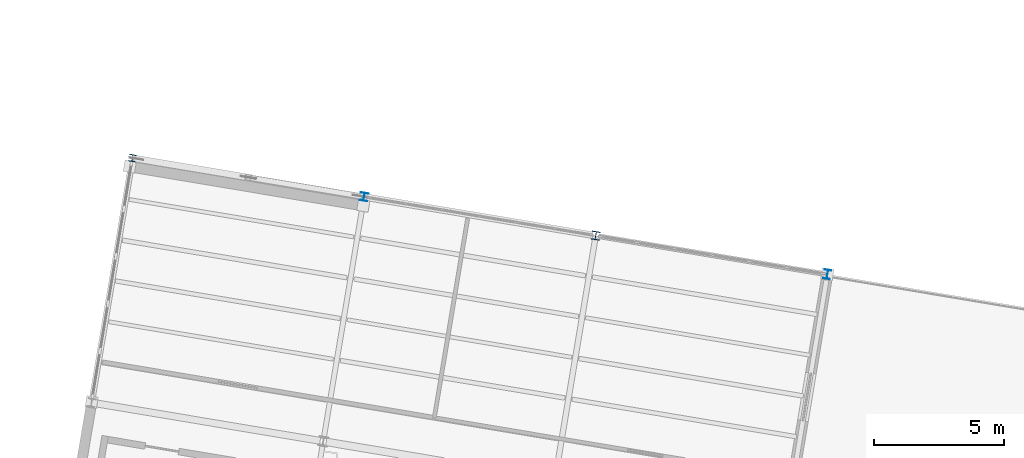
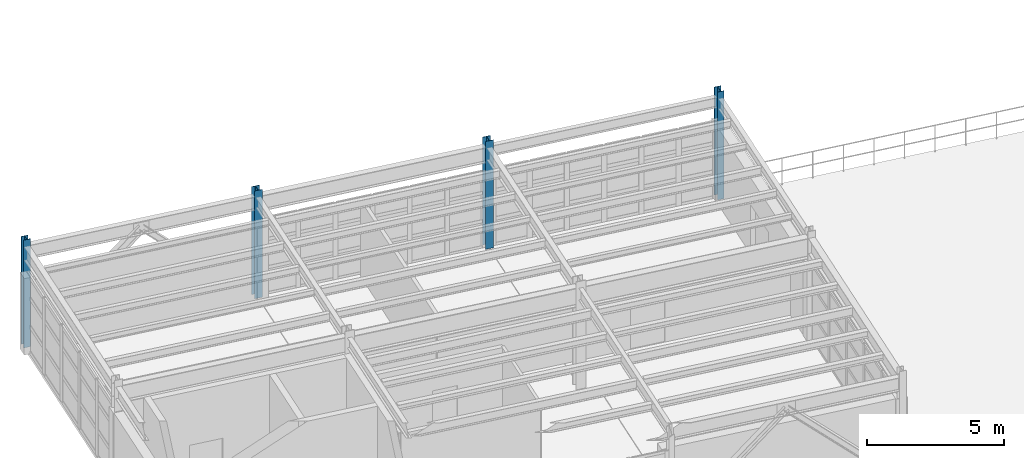
# One storey, part 8 of 59: 4 columns.
"""IFC4 building model written with IfcOpenShell, lengths in metres."""

from ifc_helpers import new_model, si_unit, direction, frame, origin, origin_2d, place, context, subcontext, project, spatial, i_section, extrude, material, material_profile, profile_set, type_object, element, save


model = new_model("IFC4")

# Units and contexts
model_context = context("Model", 3, precision=1e-05, world=origin(), true_north=direction((0.0, 1.0)))
body_context = subcontext(model_context, "Body", "Model", "MODEL_VIEW")
ifc_project = project(units=[si_unit("LENGTHUNIT", "METRE"), si_unit("AREAUNIT", "SQUARE_METRE"), si_unit("VOLUMEUNIT", "CUBIC_METRE"), si_unit("PLANEANGLEUNIT", "RADIAN"), si_unit("MASSUNIT", "GRAM", prefix="KILO")], contexts=[model_context])

# Site, building, storey
site_placement = place(None, origin())
site = spatial("IfcSite", under=ifc_project, at=site_placement, CompositionType="ELEMENT")
building_placement = place(site_placement, origin())
building = spatial("IfcBuilding", under=site, at=building_placement, Name="Vireo Bluff Cable Station", CompositionType="ELEMENT")
storey_placement = place(building_placement, frame((0.0, 0.0, 14.39990234375)))
storey = spatial("IfcBuildingStorey", under=building, at=storey_placement, Name="L03", CompositionType="ELEMENT", Elevation=14.39990234375)

# Columns
ifc_material = material(Name="Steel ASTM A992 Gr. 50", Category="steel")
ifc_material_profile_1 = material_profile(ifc_material, i_section(OverallWidth=0.304931640625, OverallDepth=0.306884765625, WebThickness=0.010009765625, FlangeThickness=0.015380859375, FilletRadius=0.012939453125, at=origin_2d()), Name="W12X65")
ifc_profile_set_1 = profile_set([ifc_material_profile_1], Name="Steel ASTM A992 Gr. 50")
column_type_1 = type_object("IfcColumnType", Name="ECOL-W12X65", PredefinedType="COLUMN", material=ifc_profile_set_1)
column_1_placement = place(storey_placement, frame((19.080322265625, 98.123779296875, 0.0), z_axis=(0.0, 0.0, 1.0), x_axis=(0.986285601537, -0.165047605861, 0.0)))
element("IfcColumn", 1, at=column_1_placement, inside=storey, type_object=column_type_1, Name="V4 L03 column 275", PredefinedType="COLUMN", context=body_context, shape_type="SweptSolid", body=[
    extrude(i_section(OverallWidth=0.304931640625, OverallDepth=0.306884765625, WebThickness=0.010009765625, FlangeThickness=0.015380859375, FilletRadius=0.012939453125, at=origin_2d()), origin(), (0.0, 0.0, 1.0), 4.800048828125),
])
ifc_material_profile_2 = material_profile(ifc_material, i_section(OverallWidth=0.306884765625, OverallDepth=0.31494140625, WebThickness=0.011962890625, FlangeThickness=0.018798828125, FilletRadius=0.012939453125, at=origin_2d()), Name="W12X79")
ifc_profile_set_2 = profile_set([ifc_material_profile_2], Name="Steel ASTM A992 Gr. 50")
column_type_2 = type_object("IfcColumnType", Name="ECOL-W12X79", PredefinedType="COLUMN", material=ifc_profile_set_2)
column_2_placement = place(storey_placement, frame((27.95703125, 96.63818359375, 0.0), z_axis=(0.0, 0.0, 1.0), x_axis=(0.986285601537, -0.165047605861, 0.0)))
element("IfcColumn", 2, at=column_2_placement, inside=storey, type_object=column_type_2, Name="V4 L03 column 290", PredefinedType="COLUMN", context=body_context, shape_type="SweptSolid", body=[
    extrude(i_section(OverallWidth=0.306884765625, OverallDepth=0.31494140625, WebThickness=0.011962890625, FlangeThickness=0.018798828125, FilletRadius=0.012939453125, at=origin_2d()), origin(), (0.0, 0.0, 1.0), 4.800048828125),
])
ifc_material_profile_3 = material_profile(ifc_material, i_section(OverallWidth=0.257080078125, OverallDepth=0.263916015625, WebThickness=0.011962890625, FlangeThickness=0.01953125, FilletRadius=0.009033203125, at=origin_2d()), Name="W10X68")
ifc_profile_set_3 = profile_set([ifc_material_profile_3], Name="Steel ASTM A992 Gr. 50")
column_type_3 = type_object("IfcColumnType", Name="PIL-W10X68", PredefinedType="PILASTER", material=ifc_profile_set_3)
column_3_placement = place(storey_placement, frame((10.203857421875, 99.609130859375, 0.0), z_axis=(0.0, 0.0, 1.0), x_axis=(0.986285601537, -0.165047605861, 0.0)))
element("IfcColumn", 3, at=column_3_placement, inside=storey, type_object=column_type_3, Name="V4 L03 column 260", PredefinedType="PILASTER", context=body_context, shape_type="SweptSolid", body=[
    extrude(i_section(OverallWidth=0.257080078125, OverallDepth=0.263916015625, WebThickness=0.011962890625, FlangeThickness=0.01953125, FilletRadius=0.009033203125, at=origin_2d()), origin(), (0.0, 0.0, 1.0), 4.800048828125),
])
ifc_material_profile_4 = material_profile(ifc_material, i_section(OverallWidth=0.25390625, OverallDepth=0.35302734375, WebThickness=0.009521484375, FlangeThickness=0.016357421875, FilletRadius=0.011962890625, at=origin_2d()), Name="W14X61")
ifc_profile_set_4 = profile_set([ifc_material_profile_4], Name="Steel ASTM A992 Gr. 50")
column_type_4 = type_object("IfcColumnType", Name="PIL-W14X61", PredefinedType="PILASTER", material=ifc_profile_set_4)
column_4_placement = place(storey_placement, frame((36.83349609375, 95.15283203125, 0.0), z_axis=(0.0, 0.0, 1.0), x_axis=(0.986285601537, -0.165047605861, 0.0)))
element("IfcColumn", 4, at=column_4_placement, inside=storey, type_object=column_type_4, Name="V4 L03 column 305", PredefinedType="PILASTER", context=body_context, shape_type="SweptSolid", body=[
    extrude(i_section(OverallWidth=0.25390625, OverallDepth=0.35302734375, WebThickness=0.009521484375, FlangeThickness=0.016357421875, FilletRadius=0.011962890625, at=origin_2d()), origin(), (0.0, 0.0, 1.0), 4.800048828125),
])

save(model, "model.ifc")
